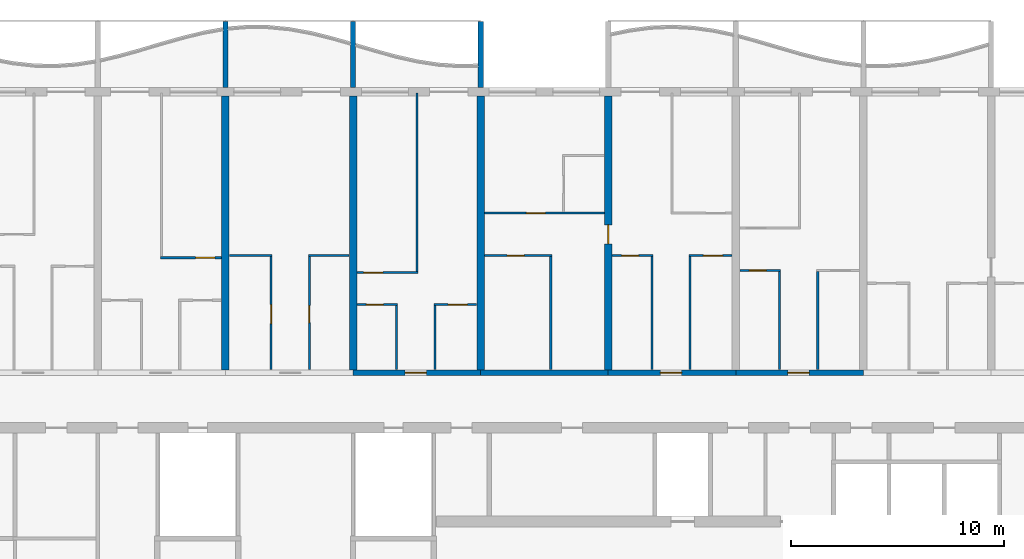
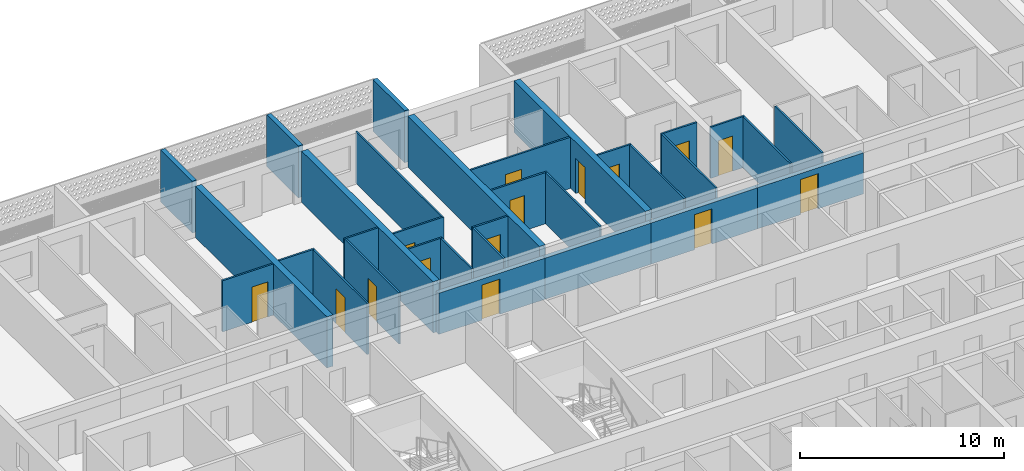
# One storey, part 10 of 26: 32 walls, 15 doors, 15 openings.
"""IFC4 building model written with IfcOpenShell, lengths in metres."""

from ifc_helpers import new_model, si_unit, direction, frame, frame_2d, origin, place, context, subcontext, project, spatial, polyline, rectangle, outline, extrude, source, transform, mapped, material, layer, layer_set, type_object, element, fill, save


model = new_model("IFC4")

# Units and contexts
model_context = context("Model", 3, precision=1e-05, world=origin(), true_north=direction((0.0, 1.0)))
body_context = subcontext(model_context, "Body", "Model", "MODEL_VIEW")
ifc_project = project(units=[si_unit("LENGTHUNIT", "METRE"), si_unit("AREAUNIT", "SQUARE_METRE"), si_unit("VOLUMEUNIT", "CUBIC_METRE"), si_unit("PLANEANGLEUNIT", "RADIAN"), si_unit("MASSUNIT", "GRAM", prefix="KILO")], contexts=[model_context])

# Site, building, storey
site_placement = place(None, origin())
site = spatial("IfcSite", under=ifc_project, at=site_placement, CompositionType="ELEMENT")
building_placement = place(site_placement, origin())
building = spatial("IfcBuilding", under=site, at=building_placement, Name="Poui Terraces", CompositionType="ELEMENT")
storey_placement = place(building_placement, frame((0.0, 0.0, 79.5)))
storey = spatial("IfcBuildingStorey", under=building, at=storey_placement, Name="L21", CompositionType="ELEMENT", Elevation=79.5)

# Wall, opening, door
ifc_material_1 = material(Name="Concrete 65 MPa", Category="concrete")
ifc_layer_1 = layer(ifc_material_1, 0.25)
ifc_layer_set_1 = layer_set([ifc_layer_1], Name="Concrete 65 MPa")
wall_type_1 = type_object("IfcWallType", Name="CORRIDOR WALL 250 65MPa", PredefinedType="SHEAR", material=ifc_layer_set_1)
wall_1_placement = place(storey_placement, frame((30.0, 30.39990234375, 0.0), z_axis=(0.0, 0.0, 1.0), x_axis=(1.0, 0.0, 0.0)))
wall_1 = element("IfcWall", 1, at=wall_1_placement, inside=storey, type_object=wall_type_1, Name="CORRIDOR WALL LINE E BAY 5", PredefinedType="SHEAR", context=body_context, shape_type="SweptSolid", body=[
    extrude(rectangle(XDim=6.0, YDim=0.25, at=frame_2d((3.0, 0.0))), origin(), (0.0, 0.0, 1.0), 2.4599609375),
])
opening_1_placement = place(wall_1_placement, frame((2.449951171875, 0.0, 0.0)))
opening_1 = element("IfcOpeningElement", 2, at=opening_1_placement, cuts=wall_1, Name="Opening FD30S", PredefinedType="OPENING", context=body_context, shape_type="SweptSolid", body=[
    extrude(rectangle(XDim=1.0, YDim=2.10009765625, at=frame_2d((0.5, 1.050048828125))), frame((0.0, 0.135009765625, 0.0), z_axis=(0.0, -1.0, 0.0), x_axis=(1.0, 0.0, 0.0)), (0.0, 0.0, 1.0), 0.27001953125),
])
ifc_material_2 = material(Name="Steel fire door", Category="steel")
door_type_1 = type_object("IfcDoorType", Name="FLAT ENTRANCE DOOR 1000 X 2100", OperationType="NOTDEFINED", PredefinedType="DOOR", material=ifc_material_2)
door_1_placement = place(opening_1_placement, origin())
door_1 = element("IfcDoor", 3, at=door_1_placement, inside=storey, type_object=door_type_1, Name="FLAT ENTRANCE DOOR 047", OperationType="SINGLE_SWING_LEFT", OverallHeight=2.10009765625, OverallWidth=1.0, PredefinedType="DOOR", context=body_context, shape_type="SweptSolid", body=[
    extrude(rectangle(XDim=1.0, YDim=2.10009765625, at=frame_2d((0.5, 1.050048828125))), frame((0.0, 0.02490234375, 0.0), z_axis=(0.0, -1.0, 0.0), x_axis=(1.0, 0.0, 0.0)), (0.0, 0.0, 1.0), 0.050048828125),
])
fill(opening_1, door_1)

# Wall
wall_2_placement = place(storey_placement, frame((36.0, 30.39990234375, 0.0), z_axis=(0.0, 0.0, 1.0), x_axis=(1.0, 0.0, 0.0)))
element("IfcWall", 4, at=wall_2_placement, inside=storey, type_object=wall_type_1, Name="CORRIDOR WALL LINE E BAY 6", PredefinedType="SHEAR", context=body_context, shape_type="SweptSolid", body=[
    extrude(rectangle(XDim=6.0, YDim=0.25, at=frame_2d((3.0, 0.0))), origin(), (0.0, 0.0, 1.0), 2.4599609375),
])

# Wall, opening, door
wall_3_placement = place(storey_placement, frame((42.0, 30.39990234375, 0.0), z_axis=(0.0, 0.0, 1.0), x_axis=(1.0, 0.0, 0.0)))
wall_3 = element("IfcWall", 5, at=wall_3_placement, inside=storey, type_object=wall_type_1, Name="CORRIDOR WALL LINE E BAY 7", PredefinedType="SHEAR", context=body_context, shape_type="SweptSolid", body=[
    extrude(rectangle(XDim=6.0, YDim=0.25, at=frame_2d((3.0, 0.0))), origin(), (0.0, 0.0, 1.0), 2.4599609375),
])
opening_2_placement = place(wall_3_placement, frame((2.449951171875, 0.0, 0.0)))
opening_2 = element("IfcOpeningElement", 6, at=opening_2_placement, cuts=wall_3, Name="Opening FD30S", PredefinedType="OPENING", context=body_context, shape_type="SweptSolid", body=[
    extrude(rectangle(XDim=1.0, YDim=2.10009765625, at=frame_2d((0.5, 1.050048828125))), frame((0.0, 0.135009765625, 0.0), z_axis=(0.0, -1.0, 0.0), x_axis=(1.0, 0.0, 0.0)), (0.0, 0.0, 1.0), 0.27001953125),
])
door_2_placement = place(opening_2_placement, origin())
door_2 = element("IfcDoor", 7, at=door_2_placement, inside=storey, type_object=door_type_1, Name="FLAT ENTRANCE DOOR 053", OperationType="SINGLE_SWING_LEFT", OverallHeight=2.10009765625, OverallWidth=1.0, PredefinedType="DOOR", context=body_context, shape_type="SweptSolid", body=[
    extrude(rectangle(XDim=1.0, YDim=2.10009765625, at=frame_2d((0.5, 1.050048828125))), frame((0.0, 0.02490234375, 0.0), z_axis=(0.0, -1.0, 0.0), x_axis=(1.0, 0.0, 0.0)), (0.0, 0.0, 1.0), 0.050048828125),
])
fill(opening_2, door_2)

wall_4_placement = place(storey_placement, frame((48.0, 30.39990234375, 0.0), z_axis=(0.0, 0.0, 1.0), x_axis=(1.0, 0.0, 0.0)))
wall_4 = element("IfcWall", 8, at=wall_4_placement, inside=storey, type_object=wall_type_1, Name="CORRIDOR WALL LINE E BAY 8", PredefinedType="SHEAR", context=body_context, shape_type="SweptSolid", body=[
    extrude(rectangle(XDim=6.0, YDim=0.25, at=frame_2d((3.0, 0.0))), origin(), (0.0, 0.0, 1.0), 2.4599609375),
])
opening_3_placement = place(wall_4_placement, frame((2.449951171875, 0.0, 0.0)))
opening_3 = element("IfcOpeningElement", 9, at=opening_3_placement, cuts=wall_4, Name="Opening FD30S", PredefinedType="OPENING", context=body_context, shape_type="SweptSolid", body=[
    extrude(rectangle(XDim=1.0, YDim=2.10009765625, at=frame_2d((0.5, 1.050048828125))), frame((0.0, 0.135009765625, 0.0), z_axis=(0.0, -1.0, 0.0), x_axis=(1.0, 0.0, 0.0)), (0.0, 0.0, 1.0), 0.27001953125),
])
door_3_placement = place(opening_3_placement, origin())
door_3 = element("IfcDoor", 10, at=door_3_placement, inside=storey, type_object=door_type_1, Name="FLAT ENTRANCE DOOR 059", OperationType="SINGLE_SWING_LEFT", OverallHeight=2.10009765625, OverallWidth=1.0, PredefinedType="DOOR", context=body_context, shape_type="SweptSolid", body=[
    extrude(rectangle(XDim=1.0, YDim=2.10009765625, at=frame_2d((0.5, 1.050048828125))), frame((0.0, 0.02490234375, 0.0), z_axis=(0.0, -1.0, 0.0), x_axis=(1.0, 0.0, 0.0)), (0.0, 0.0, 1.0), 0.050048828125),
])
fill(opening_3, door_3)

# Walls
ifc_layer_2 = layer(ifc_material_1, 0.35009765625)
ifc_layer_set_2 = layer_set([ifc_layer_2], Name="Concrete 65 MPa")
wall_type_2 = type_object("IfcWallType", Name="CROSS WALL 350 65MPa", PredefinedType="SHEAR", material=ifc_layer_set_2)
for number, where, z_axis, x_axis, name in (
    (11, (24.0, 30.52490234375, 0.0), (0.0, 0.0, 1.0), (0.0, 1.0, 0.0), "CROSS WALL LINE 5 NORTH"),
    (12, (30.0, 30.52490234375, 0.0), (0.0, 0.0, 1.0), (0.0, 1.0, 0.0), "CROSS WALL LINE 6 NORTH"),
    (13, (36.0, 30.52490234375, 0.0), (0.0, 0.0, 1.0), (0.0, 1.0, 0.0), "CROSS WALL LINE 7 NORTH"),
):
    element("IfcWall", number, at=place(storey_placement, frame(where, z_axis=z_axis, x_axis=x_axis)), inside=storey, type_object=wall_type_2, Name=name, PredefinedType="SHEAR", context=body_context, shape_type="SweptSolid", body=[
        extrude(rectangle(XDim=12.875, YDim=0.35009765625, at=frame_2d((6.4375, 0.0))), origin(), (0.0, 0.0, 1.0), 3.06005859375),
    ])

# Wall, opening, door
wall_5_placement = place(storey_placement, frame((42.0, 30.52490234375, 0.0), z_axis=(0.0, 0.0, 1.0), x_axis=(0.0, 1.0, 0.0)))
wall_5 = element("IfcWall", 14, at=wall_5_placement, inside=storey, type_object=wall_type_2, Name="CROSS WALL LINE 8 NORTH", PredefinedType="SHEAR", context=body_context, shape_type="SweptSolid", body=[
    extrude(rectangle(XDim=12.875, YDim=0.35009765625, at=frame_2d((6.4375, 0.0))), origin(), (0.0, 0.0, 1.0), 3.06005859375),
])
opening_4_placement = place(wall_5_placement, frame((5.925048828125, 0.0, 0.0)))
opening_4 = element("IfcOpeningElement", 15, at=opening_4_placement, cuts=wall_5, Name="Opening D90", PredefinedType="OPENING", context=body_context, shape_type="SweptSolid", body=[
    extrude(rectangle(XDim=0.89990234375, YDim=2.10009765625, at=frame_2d((0.449951171875, 1.050048828125))), frame((0.0, 0.18505859375, 0.0), z_axis=(0.0, -1.0, 0.0), x_axis=(1.0, 0.0, 0.0)), (0.0, 0.0, 1.0), 0.3701171875),
])
ifc_material_3 = material(Name="Solid core timber door", Category="wood")
door_type_2 = type_object("IfcDoorType", Name="INTERNAL DOOR 900 X 2100", OperationType="NOTDEFINED", PredefinedType="DOOR", material=ifc_material_3)
door_4_placement = place(opening_4_placement, frame((0.89990234375, 0.0, 0.0), z_axis=(0.0, 0.0, 1.0), x_axis=(-1.0, 0.0, 0.0)))
door_4 = element("IfcDoor", 16, at=door_4_placement, inside=storey, type_object=door_type_2, Name="INTERNAL DOOR 051", OperationType="SINGLE_SWING_RIGHT", OverallHeight=2.10009765625, OverallWidth=0.89990234375, PredefinedType="DOOR", context=body_context, shape_type="SweptSolid", body=[
    extrude(rectangle(XDim=0.89990234375, YDim=2.10009765625, at=frame_2d((0.449951171875, 1.050048828125))), frame((0.0, 0.02490234375, 0.0), z_axis=(0.0, -1.0, 0.0), x_axis=(1.0, 0.0, 0.0)), (0.0, 0.0, 1.0), 0.050048828125),
])
fill(opening_4, door_4)

ifc_material_4 = material(Name="Plasterboard partition")
ifc_layer_3 = layer(ifc_material_4, 0.10009765625)
ifc_layer_set_3 = layer_set([ifc_layer_3], Name="Plasterboard partition")
wall_type_3 = type_object("IfcWallType", Name="FLAT PARTITION 100", PredefinedType="PARTITIONING", material=ifc_layer_set_3)
wall_6_placement = place(storey_placement, frame((30.18505859375, 33.60009765625, 0.0), z_axis=(0.0, 0.0, 1.0), x_axis=(1.0, 0.0, 0.0)))
wall_6 = element("IfcWall", 17, at=wall_6_placement, inside=storey, type_object=wall_type_3, Name="FLAT PARTITION 100", PredefinedType="PARTITIONING", context=body_context, shape_type="SweptSolid", body=[
    extrude(rectangle(XDim=1.9150390625, YDim=0.10009765625, at=frame_2d((0.95751953125, 0.0))), origin(), (0.0, 0.0, 1.0), 3.06005859375),
])
opening_5_placement = place(wall_6_placement, frame((0.43994140625, 0.0, 0.0)))
opening_5 = element("IfcOpeningElement", 18, at=opening_5_placement, cuts=wall_6, Name="Opening D80", PredefinedType="OPENING", context=body_context, shape_type="SweptSolid", body=[
    extrude(rectangle(XDim=0.800048828125, YDim=2.10009765625, at=frame_2d((0.39990234375, 1.050048828125))), frame((0.0, 0.06005859375, 0.0), z_axis=(0.0, -1.0, 0.0), x_axis=(1.0, 0.0, 0.0)), (0.0, 0.0, 1.0), 0.1201171875),
])
door_type_3 = type_object("IfcDoorType", Name="BATHROOM, LAUNDRY AND STORE DOOR 800 X 2100", OperationType="NOTDEFINED", PredefinedType="DOOR", material=ifc_material_3)
door_5_placement = place(opening_5_placement, frame((0.800048828125, 0.0, 0.0), z_axis=(0.0, 0.0, 1.0), x_axis=(-1.0, 0.0, 0.0)))
door_5 = element("IfcDoor", 19, at=door_5_placement, inside=storey, type_object=door_type_3, Name="BATHROOM, LAUNDRY AND STORE DOOR 046", OperationType="SINGLE_SWING_RIGHT", OverallHeight=2.10009765625, OverallWidth=0.800048828125, PredefinedType="DOOR", context=body_context, shape_type="SweptSolid", body=[
    extrude(rectangle(XDim=0.800048828125, YDim=2.10009765625, at=frame_2d((0.39990234375, 1.050048828125))), frame((0.0, 0.02490234375, 0.0), z_axis=(0.0, -1.0, 0.0), x_axis=(1.0, 0.0, 0.0)), (0.0, 0.0, 1.0), 0.050048828125),
])
fill(opening_5, door_5)

wall_7_placement = place(storey_placement, frame((33.800048828125, 33.60009765625, 0.0), z_axis=(0.0, 0.0, 1.0), x_axis=(1.0, 0.0, 0.0)))
wall_7 = element("IfcWall", 20, at=wall_7_placement, inside=storey, type_object=wall_type_3, Name="FLAT PARTITION 100", PredefinedType="PARTITIONING", context=body_context, shape_type="SweptSolid", body=[
    extrude(rectangle(XDim=2.014892578125, YDim=0.10009765625, at=frame_2d((1.00732421875, 0.0))), origin(), (0.0, 0.0, 1.0), 3.06005859375),
])
opening_6_placement = place(wall_7_placement, frame((0.675048828125, 0.0, 0.0)))
opening_6 = element("IfcOpeningElement", 21, at=opening_6_placement, cuts=wall_7, Name="Opening D90", PredefinedType="OPENING", context=body_context, shape_type="SweptSolid", body=[
    extrude(rectangle(XDim=0.89990234375, YDim=2.10009765625, at=frame_2d((0.449951171875, 1.050048828125))), frame((0.0, 0.06005859375, 0.0), z_axis=(0.0, -1.0, 0.0), x_axis=(1.0, 0.0, 0.0)), (0.0, 0.0, 1.0), 0.1201171875),
])
door_6_placement = place(opening_6_placement, frame((0.89990234375, 0.0, 0.0), z_axis=(0.0, 0.0, 1.0), x_axis=(-1.0, 0.0, 0.0)))
door_6 = element("IfcDoor", 22, at=door_6_placement, inside=storey, type_object=door_type_2, Name="INTERNAL DOOR 048", OperationType="SINGLE_SWING_LEFT", OverallHeight=2.10009765625, OverallWidth=0.89990234375, PredefinedType="DOOR", context=body_context, shape_type="SweptSolid", body=[
    extrude(rectangle(XDim=0.89990234375, YDim=2.10009765625, at=frame_2d((0.449951171875, 1.050048828125))), frame((0.0, 0.02490234375, 0.0), z_axis=(0.0, -1.0, 0.0), x_axis=(1.0, 0.0, 0.0)), (0.0, 0.0, 1.0), 0.050048828125),
])
fill(opening_6, door_6)

wall_8_placement = place(storey_placement, frame((30.18505859375, 35.10009765625, 0.0), z_axis=(0.0, 0.0, 1.0), x_axis=(1.0, 0.0, 0.0)))
wall_8 = element("IfcWall", 23, at=wall_8_placement, inside=storey, type_object=wall_type_3, Name="FLAT PARTITION 100", PredefinedType="PARTITIONING", context=body_context, shape_type="SweptSolid", body=[
    extrude(rectangle(XDim=2.864990234375, YDim=0.10009765625, at=frame_2d((1.4326171875, 0.0))), origin(), (0.0, 0.0, 1.0), 3.06005859375),
])
opening_7_placement = place(wall_8_placement, frame((0.31494140625, 0.0, 0.0)))
opening_7 = element("IfcOpeningElement", 24, at=opening_7_placement, cuts=wall_8, Name="Opening D90", PredefinedType="OPENING", context=body_context, shape_type="SweptSolid", body=[
    extrude(rectangle(XDim=0.89990234375, YDim=2.10009765625, at=frame_2d((0.449951171875, 1.050048828125))), frame((0.0, 0.06005859375, 0.0), z_axis=(0.0, -1.0, 0.0), x_axis=(1.0, 0.0, 0.0)), (0.0, 0.0, 1.0), 0.1201171875),
])
door_7_placement = place(opening_7_placement, frame((0.89990234375, 0.0, 0.0), z_axis=(0.0, 0.0, 1.0), x_axis=(-1.0, 0.0, 0.0)))
door_7 = element("IfcDoor", 25, at=door_7_placement, inside=storey, type_object=door_type_2, Name="INTERNAL DOOR 045", OperationType="SINGLE_SWING_LEFT", OverallHeight=2.10009765625, OverallWidth=0.89990234375, PredefinedType="DOOR", context=body_context, shape_type="SweptSolid", body=[
    extrude(rectangle(XDim=0.89990234375, YDim=2.10009765625, at=frame_2d((0.449951171875, 1.050048828125))), frame((0.0, 0.02490234375, 0.0), z_axis=(0.0, -1.0, 0.0), x_axis=(1.0, 0.0, 0.0)), (0.0, 0.0, 1.0), 0.050048828125),
])
fill(opening_7, door_7)

wall_9_placement = place(storey_placement, frame((48.18505859375, 35.199951171875, 0.0), z_axis=(0.0, 0.0, 1.0), x_axis=(1.0, 0.0, 0.0)))
wall_9 = element("IfcWall", 26, at=wall_9_placement, inside=storey, type_object=wall_type_3, Name="FLAT PARTITION 100", PredefinedType="PARTITIONING", context=body_context, shape_type="SweptSolid", body=[
    extrude(rectangle(XDim=1.9150390625, YDim=0.10009765625, at=frame_2d((0.95751953125, 0.0))), origin(), (0.0, 0.0, 1.0), 3.06005859375),
])
opening_8_placement = place(wall_9_placement, frame((0.43994140625, 0.0, 0.0)))
opening_8 = element("IfcOpeningElement", 27, at=opening_8_placement, cuts=wall_9, Name="Opening D80", PredefinedType="OPENING", context=body_context, shape_type="SweptSolid", body=[
    extrude(rectangle(XDim=0.800048828125, YDim=2.10009765625, at=frame_2d((0.39990234375, 1.050048828125))), frame((0.0, 0.06005859375, 0.0), z_axis=(0.0, -1.0, 0.0), x_axis=(1.0, 0.0, 0.0)), (0.0, 0.0, 1.0), 0.1201171875),
])
door_8_placement = place(opening_8_placement, frame((0.800048828125, 0.0, 0.0), z_axis=(0.0, 0.0, 1.0), x_axis=(-1.0, 0.0, 0.0)))
door_8 = element("IfcDoor", 28, at=door_8_placement, inside=storey, type_object=door_type_3, Name="BATHROOM, LAUNDRY AND STORE DOOR 058", OperationType="SINGLE_SWING_RIGHT", OverallHeight=2.10009765625, OverallWidth=0.800048828125, PredefinedType="DOOR", context=body_context, shape_type="SweptSolid", body=[
    extrude(rectangle(XDim=0.800048828125, YDim=2.10009765625, at=frame_2d((0.39990234375, 1.050048828125))), frame((0.0, 0.02490234375, 0.0), z_axis=(0.0, -1.0, 0.0), x_axis=(1.0, 0.0, 0.0)), (0.0, 0.0, 1.0), 0.050048828125),
])
fill(opening_8, door_8)

wall_10_placement = place(storey_placement, frame((20.949951171875, 35.800048828125, 0.0), z_axis=(0.0, 0.0, 1.0), x_axis=(1.0, 0.0, 0.0)))
wall_10 = element("IfcWall", 29, at=wall_10_placement, inside=storey, type_object=wall_type_3, Name="FLAT PARTITION 100", PredefinedType="PARTITIONING", context=body_context, shape_type="SweptSolid", body=[
    extrude(rectangle(XDim=2.864990234375, YDim=0.10009765625, at=frame_2d((1.4326171875, 0.0))), origin(), (0.0, 0.0, 1.0), 3.06005859375),
])
opening_9_placement = place(wall_10_placement, frame((1.64990234375, 0.0, 0.0)))
opening_9 = element("IfcOpeningElement", 30, at=opening_9_placement, cuts=wall_10, Name="Opening D90", PredefinedType="OPENING", context=body_context, shape_type="SweptSolid", body=[
    extrude(rectangle(XDim=0.89990234375, YDim=2.10009765625, at=frame_2d((0.449951171875, 1.050048828125))), frame((0.0, 0.06005859375, 0.0), z_axis=(0.0, -1.0, 0.0), x_axis=(1.0, 0.0, 0.0)), (0.0, 0.0, 1.0), 0.1201171875),
])
door_9_placement = place(opening_9_placement, frame((0.89990234375, 0.0, 0.0), z_axis=(0.0, 0.0, 1.0), x_axis=(-1.0, 0.0, 0.0)))
door_9 = element("IfcDoor", 31, at=door_9_placement, inside=storey, type_object=door_type_2, Name="INTERNAL DOOR 041", OperationType="SINGLE_SWING_RIGHT", OverallHeight=2.10009765625, OverallWidth=0.89990234375, PredefinedType="DOOR", context=body_context, shape_type="SweptSolid", body=[
    extrude(rectangle(XDim=0.89990234375, YDim=2.10009765625, at=frame_2d((0.449951171875, 1.050048828125))), frame((0.0, 0.02490234375, 0.0), z_axis=(0.0, -1.0, 0.0), x_axis=(1.0, 0.0, 0.0)), (0.0, 0.0, 1.0), 0.050048828125),
])
fill(opening_9, door_9)

# Walls
wall_11_placement = place(storey_placement, frame((24.18505859375, 35.89990234375, 0.0), z_axis=(0.0, 0.0, 1.0), x_axis=(1.0, 0.0, 0.0)))
element("IfcWall", 32, at=wall_11_placement, inside=storey, type_object=wall_type_3, Name="FLAT PARTITION 100", PredefinedType="PARTITIONING", context=body_context, shape_type="SweptSolid", body=[
    extrude(rectangle(XDim=2.014892578125, YDim=0.10009765625, at=frame_2d((1.00732421875, 0.0))), origin(), (0.0, 0.0, 1.0), 3.06005859375),
])
wall_12_placement = place(storey_placement, frame((27.89990234375, 35.89990234375, 0.0), z_axis=(0.0, 0.0, 1.0), x_axis=(1.0, 0.0, 0.0)))
element("IfcWall", 33, at=wall_12_placement, inside=storey, type_object=wall_type_3, Name="FLAT PARTITION 100", PredefinedType="PARTITIONING", context=body_context, shape_type="SweptSolid", body=[
    extrude(rectangle(XDim=1.9150390625, YDim=0.10009765625, at=frame_2d((0.95751953125, 0.0))), origin(), (0.0, 0.0, 1.0), 3.06005859375),
])

# Wall, opening, door
wall_13_placement = place(storey_placement, frame((36.18505859375, 35.89990234375, 0.0), z_axis=(0.0, 0.0, 1.0), x_axis=(1.0, 0.0, 0.0)))
wall_13 = element("IfcWall", 34, at=wall_13_placement, inside=storey, type_object=wall_type_3, Name="FLAT PARTITION 100", PredefinedType="PARTITIONING", context=body_context, shape_type="SweptSolid", body=[
    extrude(rectangle(XDim=3.1650390625, YDim=0.10009765625, at=frame_2d((1.58251953125, 0.0))), origin(), (0.0, 0.0, 1.0), 3.06005859375),
])
opening_10_placement = place(wall_13_placement, frame((1.06494140625, 0.0, 0.0)))
opening_10 = element("IfcOpeningElement", 35, at=opening_10_placement, cuts=wall_13, Name="Opening D80", PredefinedType="OPENING", context=body_context, shape_type="SweptSolid", body=[
    extrude(rectangle(XDim=0.800048828125, YDim=2.10009765625, at=frame_2d((0.39990234375, 1.050048828125))), frame((0.0, 0.06005859375, 0.0), z_axis=(0.0, -1.0, 0.0), x_axis=(1.0, 0.0, 0.0)), (0.0, 0.0, 1.0), 0.1201171875),
])
door_10_placement = place(opening_10_placement, origin())
door_10 = element("IfcDoor", 36, at=door_10_placement, inside=storey, type_object=door_type_3, Name="BATHROOM, LAUNDRY AND STORE DOOR 049", OperationType="SINGLE_SWING_LEFT", OverallHeight=2.10009765625, OverallWidth=0.800048828125, PredefinedType="DOOR", context=body_context, shape_type="SweptSolid", body=[
    extrude(rectangle(XDim=0.800048828125, YDim=2.10009765625, at=frame_2d((0.39990234375, 1.050048828125))), frame((0.0, 0.02490234375, 0.0), z_axis=(0.0, -1.0, 0.0), x_axis=(1.0, 0.0, 0.0)), (0.0, 0.0, 1.0), 0.050048828125),
])
fill(opening_10, door_10)

wall_14_placement = place(storey_placement, frame((42.18505859375, 35.89990234375, 0.0), z_axis=(0.0, 0.0, 1.0), x_axis=(1.0, 0.0, 0.0)))
wall_14 = element("IfcWall", 37, at=wall_14_placement, inside=storey, type_object=wall_type_3, Name="FLAT PARTITION 100", PredefinedType="PARTITIONING", context=body_context, shape_type="SweptSolid", body=[
    extrude(rectangle(XDim=1.9150390625, YDim=0.10009765625, at=frame_2d((0.95751953125, 0.0))), origin(), (0.0, 0.0, 1.0), 3.06005859375),
])
opening_11_placement = place(wall_14_placement, frame((0.43994140625, 0.0, 0.0)))
opening_11 = element("IfcOpeningElement", 38, at=opening_11_placement, cuts=wall_14, Name="Opening D80", PredefinedType="OPENING", context=body_context, shape_type="SweptSolid", body=[
    extrude(rectangle(XDim=0.800048828125, YDim=2.10009765625, at=frame_2d((0.39990234375, 1.050048828125))), frame((0.0, 0.06005859375, 0.0), z_axis=(0.0, -1.0, 0.0), x_axis=(1.0, 0.0, 0.0)), (0.0, 0.0, 1.0), 0.1201171875),
])
door_11_placement = place(opening_11_placement, frame((0.800048828125, 0.0, 0.0), z_axis=(0.0, 0.0, 1.0), x_axis=(-1.0, 0.0, 0.0)))
door_11 = element("IfcDoor", 39, at=door_11_placement, inside=storey, type_object=door_type_3, Name="BATHROOM, LAUNDRY AND STORE DOOR 052", OperationType="SINGLE_SWING_RIGHT", OverallHeight=2.10009765625, OverallWidth=0.800048828125, PredefinedType="DOOR", context=body_context, shape_type="SweptSolid", body=[
    extrude(rectangle(XDim=0.800048828125, YDim=2.10009765625, at=frame_2d((0.39990234375, 1.050048828125))), frame((0.0, 0.02490234375, 0.0), z_axis=(0.0, -1.0, 0.0), x_axis=(1.0, 0.0, 0.0)), (0.0, 0.0, 1.0), 0.050048828125),
])
fill(opening_11, door_11)

wall_15_placement = place(storey_placement, frame((45.800048828125, 35.89990234375, 0.0), z_axis=(0.0, 0.0, 1.0), x_axis=(1.0, 0.0, 0.0)))
wall_15 = element("IfcWall", 40, at=wall_15_placement, inside=storey, type_object=wall_type_3, Name="FLAT PARTITION 100", PredefinedType="PARTITIONING", context=body_context, shape_type="SweptSolid", body=[
    extrude(rectangle(XDim=2.014892578125, YDim=0.10009765625, at=frame_2d((1.00732421875, 0.0))), origin(), (0.0, 0.0, 1.0), 3.06005859375),
])
opening_12_placement = place(wall_15_placement, frame((0.675048828125, 0.0, 0.0)))
opening_12 = element("IfcOpeningElement", 41, at=opening_12_placement, cuts=wall_15, Name="Opening D90", PredefinedType="OPENING", context=body_context, shape_type="SweptSolid", body=[
    extrude(rectangle(XDim=0.89990234375, YDim=2.10009765625, at=frame_2d((0.449951171875, 1.050048828125))), frame((0.0, 0.06005859375, 0.0), z_axis=(0.0, -1.0, 0.0), x_axis=(1.0, 0.0, 0.0)), (0.0, 0.0, 1.0), 0.1201171875),
])
door_12_placement = place(opening_12_placement, frame((0.89990234375, 0.0, 0.0), z_axis=(0.0, 0.0, 1.0), x_axis=(-1.0, 0.0, 0.0)))
door_12 = element("IfcDoor", 42, at=door_12_placement, inside=storey, type_object=door_type_2, Name="INTERNAL DOOR 054", OperationType="SINGLE_SWING_LEFT", OverallHeight=2.10009765625, OverallWidth=0.89990234375, PredefinedType="DOOR", context=body_context, shape_type="SweptSolid", body=[
    extrude(rectangle(XDim=0.89990234375, YDim=2.10009765625, at=frame_2d((0.449951171875, 1.050048828125))), frame((0.0, 0.02490234375, 0.0), z_axis=(0.0, -1.0, 0.0), x_axis=(1.0, 0.0, 0.0)), (0.0, 0.0, 1.0), 0.050048828125),
])
fill(opening_12, door_12)

wall_16_placement = place(storey_placement, frame((36.18505859375, 37.89990234375, 0.0), z_axis=(0.0, 0.0, 1.0), x_axis=(1.0, 0.0, 0.0)))
wall_16 = element("IfcWall", 43, at=wall_16_placement, inside=storey, type_object=wall_type_3, Name="FLAT PARTITION 100", PredefinedType="PARTITIONING", context=body_context, shape_type="SweptSolid", body=[
    extrude(rectangle(XDim=5.6298828125, YDim=0.10009765625, at=frame_2d((2.81494140625, 0.0))), origin(), (0.0, 0.0, 1.0), 3.06005859375),
])
opening_13_placement = place(wall_16_placement, frame((1.965087890625, 0.0, 0.0)))
opening_13 = element("IfcOpeningElement", 44, at=opening_13_placement, cuts=wall_16, Name="Opening D90", PredefinedType="OPENING", context=body_context, shape_type="SweptSolid", body=[
    extrude(rectangle(XDim=0.89990234375, YDim=2.10009765625, at=frame_2d((0.449951171875, 1.050048828125))), frame((0.0, 0.06005859375, 0.0), z_axis=(0.0, -1.0, 0.0), x_axis=(1.0, 0.0, 0.0)), (0.0, 0.0, 1.0), 0.1201171875),
])
door_13_placement = place(opening_13_placement, origin())
door_13 = element("IfcDoor", 45, at=door_13_placement, inside=storey, type_object=door_type_2, Name="INTERNAL DOOR 050", OperationType="SINGLE_SWING_LEFT", OverallHeight=2.10009765625, OverallWidth=0.89990234375, PredefinedType="DOOR", context=body_context, shape_type="SweptSolid", body=[
    extrude(rectangle(XDim=0.89990234375, YDim=2.10009765625, at=frame_2d((0.449951171875, 1.050048828125))), frame((0.0, 0.02490234375, 0.0), z_axis=(0.0, -1.0, 0.0), x_axis=(1.0, 0.0, 0.0)), (0.0, 0.0, 1.0), 0.050048828125),
])
fill(opening_13, door_13)

wall_17_placement = place(storey_placement, frame((26.14990234375, 30.534912109375, 0.0), z_axis=(0.0, 0.0, 1.0), x_axis=(0.0, 1.0, 0.0)))
wall_17 = element("IfcWall", 46, at=wall_17_placement, inside=storey, type_object=wall_type_3, Name="FLAT PARTITION 100", PredefinedType="PARTITIONING", context=body_context, shape_type="SweptSolid", body=[
    extrude(rectangle(XDim=5.315185546875, YDim=0.10009765625, at=frame_2d((2.65771484375, 0.0))), origin(), (0.0, 0.0, 1.0), 3.06005859375),
])
opening_14_placement = place(wall_17_placement, frame((2.1650390625, 0.0, 0.0)))
opening_14 = element("IfcOpeningElement", 47, at=opening_14_placement, cuts=wall_17, Name="Opening D90", PredefinedType="OPENING", context=body_context, shape_type="SweptSolid", body=[
    extrude(rectangle(XDim=0.89990234375, YDim=2.10009765625, at=frame_2d((0.449951171875, 1.050048828125))), frame((0.0, 0.06005859375, 0.0), z_axis=(0.0, -1.0, 0.0), x_axis=(1.0, 0.0, 0.0)), (0.0, 0.0, 1.0), 0.1201171875),
])
door_14_placement = place(opening_14_placement, origin())
door_14 = element("IfcDoor", 48, at=door_14_placement, inside=storey, type_object=door_type_2, Name="INTERNAL DOOR 042", OperationType="SINGLE_SWING_LEFT", OverallHeight=2.10009765625, OverallWidth=0.89990234375, PredefinedType="DOOR", context=body_context, shape_type="SweptSolid", body=[
    extrude(rectangle(XDim=0.89990234375, YDim=2.10009765625, at=frame_2d((0.449951171875, 1.050048828125))), frame((0.0, 0.02490234375, 0.0), z_axis=(0.0, -1.0, 0.0), x_axis=(1.0, 0.0, 0.0)), (0.0, 0.0, 1.0), 0.050048828125),
])
fill(opening_14, door_14)

wall_18_placement = place(storey_placement, frame((27.949951171875, 30.534912109375, 0.0), z_axis=(0.0, 0.0, 1.0), x_axis=(0.0, 1.0, 0.0)))
wall_18 = element("IfcWall", 49, at=wall_18_placement, inside=storey, type_object=wall_type_3, Name="FLAT PARTITION 100", PredefinedType="PARTITIONING", context=body_context, shape_type="SweptSolid", body=[
    extrude(rectangle(XDim=5.315185546875, YDim=0.10009765625, at=frame_2d((2.65771484375, 0.0))), origin(), (0.0, 0.0, 1.0), 3.06005859375),
])
opening_15_placement = place(wall_18_placement, frame((2.215087890625, 0.0, 0.0)))
opening_15 = element("IfcOpeningElement", 50, at=opening_15_placement, cuts=wall_18, Name="Opening D80", PredefinedType="OPENING", context=body_context, shape_type="SweptSolid", body=[
    extrude(rectangle(XDim=0.800048828125, YDim=2.10009765625, at=frame_2d((0.39990234375, 1.050048828125))), frame((0.0, 0.06005859375, 0.0), z_axis=(0.0, -1.0, 0.0), x_axis=(1.0, 0.0, 0.0)), (0.0, 0.0, 1.0), 0.1201171875),
])
door_15_placement = place(opening_15_placement, frame((0.800048828125, 0.0, 0.0), z_axis=(0.0, 0.0, 1.0), x_axis=(-1.0, 0.0, 0.0)))
door_15 = element("IfcDoor", 51, at=door_15_placement, inside=storey, type_object=door_type_3, Name="BATHROOM, LAUNDRY AND STORE DOOR 044", OperationType="SINGLE_SWING_LEFT", OverallHeight=2.10009765625, OverallWidth=0.800048828125, PredefinedType="DOOR", context=body_context, shape_type="SweptSolid", body=[
    extrude(rectangle(XDim=0.800048828125, YDim=2.10009765625, at=frame_2d((0.39990234375, 1.050048828125))), frame((0.0, 0.02490234375, 0.0), z_axis=(0.0, -1.0, 0.0), x_axis=(1.0, 0.0, 0.0)), (0.0, 0.0, 1.0), 0.050048828125),
])
fill(opening_15, door_15)

# Walls
wall_19_placement = place(storey_placement, frame((32.050048828125, 30.534912109375, 0.0), z_axis=(0.0, 0.0, 1.0), x_axis=(0.0, 1.0, 0.0)))
element("IfcWall", 52, at=wall_19_placement, inside=storey, type_object=wall_type_3, Name="FLAT PARTITION 100", PredefinedType="PARTITIONING", context=body_context, shape_type="SweptSolid", body=[
    extrude(rectangle(XDim=3.01513671875, YDim=0.10009765625, at=frame_2d((1.507568359375, 0.0))), origin(), (0.0, 0.0, 1.0), 3.06005859375),
])
wall_20_placement = place(storey_placement, frame((33.0, 35.14990234375, 0.0), z_axis=(0.0, 0.0, 1.0), x_axis=(0.0, 1.0, 0.0)))
element("IfcWall", 53, at=wall_20_placement, inside=storey, type_object=wall_type_3, Name="FLAT PARTITION 100", PredefinedType="PARTITIONING", context=body_context, shape_type="SweptSolid", body=[
    extrude(rectangle(XDim=8.39013671875, YDim=0.10009765625, at=frame_2d((4.195068359375, 0.0))), origin(), (0.0, 0.0, 1.0), 3.06005859375),
])
wall_21_placement = place(storey_placement, frame((33.85009765625, 30.534912109375, 0.0), z_axis=(0.0, 0.0, 1.0), x_axis=(0.0, 1.0, 0.0)))
element("IfcWall", 54, at=wall_21_placement, inside=storey, type_object=wall_type_3, Name="FLAT PARTITION 100", PredefinedType="PARTITIONING", context=body_context, shape_type="SweptSolid", body=[
    extrude(rectangle(XDim=3.01513671875, YDim=0.10009765625, at=frame_2d((1.507568359375, 0.0))), origin(), (0.0, 0.0, 1.0), 3.06005859375),
])
for number, where, z_axis, x_axis, name in (
    (55, (39.300048828125, 30.534912109375, 0.0), (0.0, 0.0, 1.0), (0.0, 1.0, 0.0), "FLAT PARTITION 100"),
    (56, (44.050048828125, 30.534912109375, 0.0), (0.0, 0.0, 1.0), (0.0, 1.0, 0.0), "FLAT PARTITION 100"),
    (57, (45.85009765625, 30.534912109375, 0.0), (0.0, 0.0, 1.0), (0.0, 1.0, 0.0), "FLAT PARTITION 100"),
):
    element("IfcWall", number, at=place(storey_placement, frame(where, z_axis=z_axis, x_axis=x_axis)), inside=storey, type_object=wall_type_3, Name=name, PredefinedType="PARTITIONING", context=body_context, shape_type="SweptSolid", body=[
        extrude(rectangle(XDim=5.315185546875, YDim=0.10009765625, at=frame_2d((2.65771484375, 0.0))), origin(), (0.0, 0.0, 1.0), 3.06005859375),
    ])
for number, where, z_axis, x_axis, name in (
    (58, (50.050048828125, 30.534912109375, 0.0), (0.0, 0.0, 1.0), (0.0, 1.0, 0.0), "FLAT PARTITION 100"),
    (59, (51.85009765625, 30.534912109375, 0.0), (0.0, 0.0, 1.0), (0.0, 1.0, 0.0), "FLAT PARTITION 100"),
):
    element("IfcWall", number, at=place(storey_placement, frame(where, z_axis=z_axis, x_axis=x_axis)), inside=storey, type_object=wall_type_3, Name=name, PredefinedType="PARTITIONING", context=body_context, shape_type="SweptSolid", body=[
        extrude(rectangle(XDim=4.614990234375, YDim=0.10009765625, at=frame_2d((2.3076171875, 0.0))), origin(), (0.0, 0.0, 1.0), 3.06005859375),
    ])
ifc_material_5 = material(Name="Precast concrete 40 MPa", Category="concrete")
ifc_layer_4 = layer(ifc_material_5, 0.25)
ifc_layer_set_4 = layer_set([ifc_layer_4], Name="Precast concrete 40 MPa")
wall_type_4 = type_object("IfcWallType", Name="BALCONY FIN 250", PredefinedType="STANDARD", material=ifc_layer_set_4)
shared_shape = source(origin(), body_context, "Body", "SweptSolid", [
    extrude(outline(polyline([(0.0, 0.0), (0.25, 0.0), (0.25, 3.099853515625), (0.0, 3.099853515625), (0.0, 0.0)])), origin(), (0.0, 0.0, 1.0), 3.10009765625),
])
for number, where, name in (
    (60, (23.875, 43.800048828125, 0.0), "BALCONY FIN"),
    (61, (29.875, 43.800048828125, 0.0), "BALCONY FIN"),
    (62, (35.875, 43.800048828125, 0.0), "BALCONY FIN"),
):
    element("IfcWall", number, at=place(storey_placement, frame(where)), inside=storey, type_object=wall_type_4, Name=name, PredefinedType="STANDARD", context=body_context, shape_type="MappedRepresentation", body=[
        mapped(shared_shape, transform((0.0, 0.0, 0.0))),
    ])

save(model, "model.ifc")
